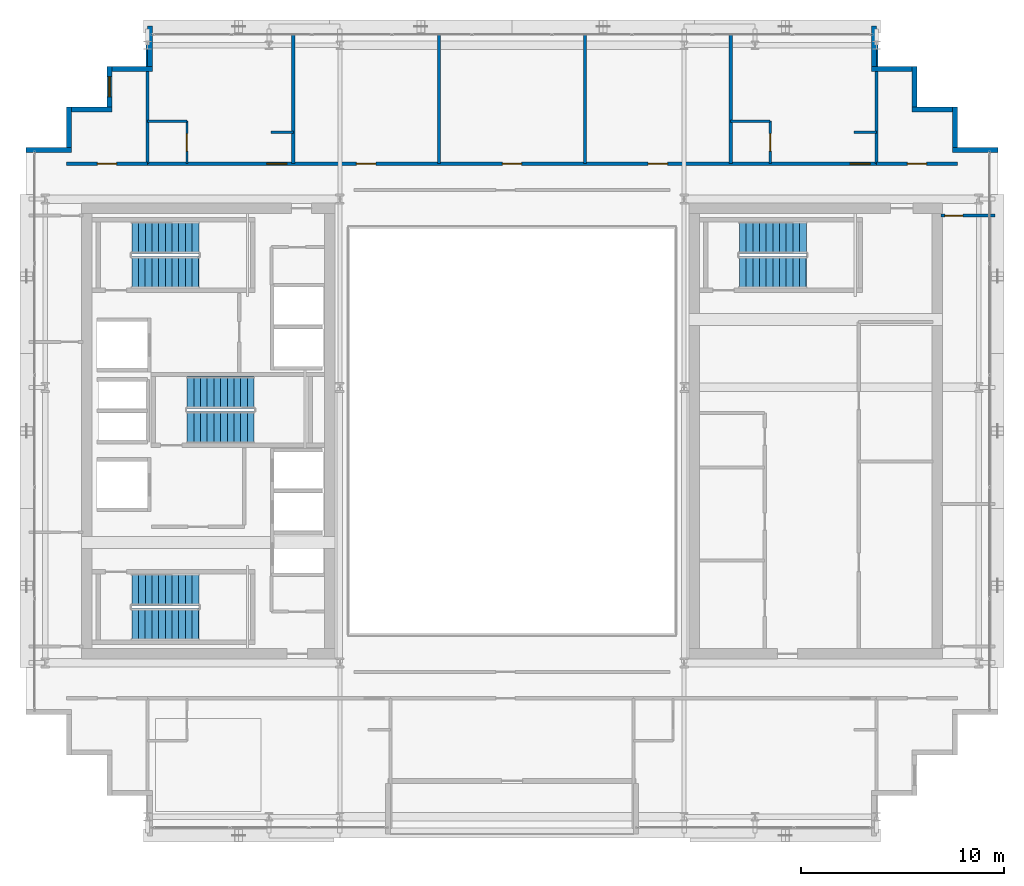
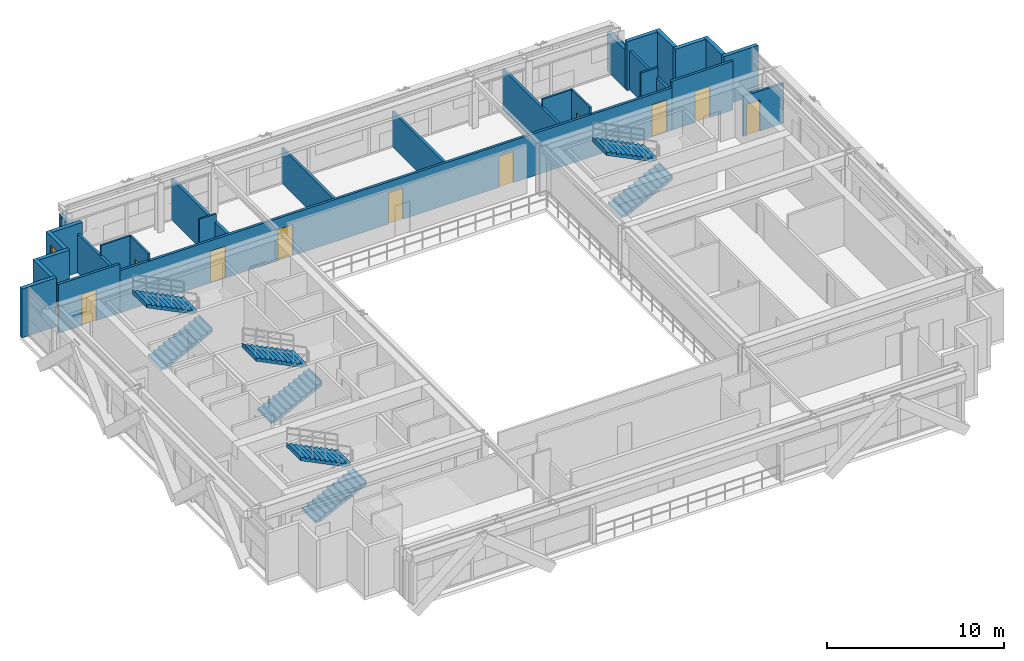
# One storey, part 26 of 30: 28 walls, 10 doors, 8 stair flights, 1 window, 11 openings, 4 elements without a shape of their own.
"""IFC4 building model written with IfcOpenShell, lengths in metres."""

from ifc_helpers import new_model, si_unit, direction, frame, frame_2d, origin, place, context, subcontext, project, spatial, polyline, rectangle, outline, extrude, source, transform, mapped, material, layer, layer_set, type_object, element, fill, aggregate, save


model = new_model("IFC4")

# Units and contexts
model_context = context("Model", 3, precision=1e-05, world=origin(), true_north=direction((0.0, 1.0)))
body_context = subcontext(model_context, "Body", "Model", "MODEL_VIEW")
ifc_project = project(units=[si_unit("LENGTHUNIT", "METRE"), si_unit("AREAUNIT", "SQUARE_METRE"), si_unit("VOLUMEUNIT", "CUBIC_METRE"), si_unit("PLANEANGLEUNIT", "RADIAN"), si_unit("MASSUNIT", "GRAM", prefix="KILO")], contexts=[model_context])

# Site, building, storey
site_placement = place(None, origin())
site = spatial("IfcSite", under=ifc_project, at=site_placement, CompositionType="ELEMENT")
building_placement = place(site_placement, origin())
building = spatial("IfcBuilding", under=site, at=building_placement, Name="Ocotamira Hotel", CompositionType="ELEMENT")
storey_placement = place(building_placement, frame((0.0, 0.0, 195.60009765625)))
storey = spatial("IfcBuildingStorey", under=building, at=storey_placement, Name="L49", CompositionType="ELEMENT", Elevation=195.60009765625)

# Walls
ifc_material_1 = material(Name="Precast concrete C45/55", Category="concrete")
ifc_layer_1 = layer(ifc_material_1, 0.25)
ifc_layer_set_1 = layer_set([ifc_layer_1], Name="Precast concrete C45/55")
wall_type_1 = type_object("IfcWallType", Name="WL-EXT-SER-250", PredefinedType="SOLIDWALL", material=ifc_layer_set_1)
wall_1_placement = place(storey_placement, frame((56.0, 39.875, 0.0), z_axis=(0.0, 0.0, 1.0), x_axis=(-1.0, 0.0, 0.0)))
element("IfcWall", 1, at=wall_1_placement, inside=storey, type_object=wall_type_1, Name="L49 Serrated Corner Wall 07", PredefinedType="SOLIDWALL", context=body_context, shape_type="SweptSolid", body=[
    extrude(rectangle(XDim=2.25, YDim=0.25, at=frame_2d((1.125, 0.0))), origin(), (0.0, 0.0, 1.0), 3.369873046875),
])
for number, where, z_axis, x_axis, name in (
    (2, (53.875, 40.0, 0.0), (0.0, 0.0, 1.0), (0.0, 1.0, 0.0), "L49 Serrated Corner Wall 08"),
    (3, (53.75, 41.875, 0.0), (0.0, 0.0, 1.0), (-1.0, 0.0, 0.0), "L49 Serrated Corner Wall 09"),
    (4, (51.875, 42.0, 0.0), (0.0, 0.0, 1.0), (0.0, 1.0, 0.0), "L49 Serrated Corner Wall 10"),
    (5, (51.75, 43.875, 0.0), (0.0, 0.0, 1.0), (-1.0, 0.0, 0.0), "L49 Serrated Corner Wall 11"),
):
    element("IfcWall", number, at=place(storey_placement, frame(where, z_axis=z_axis, x_axis=x_axis)), inside=storey, type_object=wall_type_1, Name=name, PredefinedType="SOLIDWALL", context=body_context, shape_type="SweptSolid", body=[
        extrude(rectangle(XDim=2.0, YDim=0.25, at=frame_2d((1.0, 0.0))), origin(), (0.0, 0.0, 1.0), 3.369873046875),
    ])
for number, where, z_axis, x_axis, name in (
    (6, (49.875, 44.0, 0.0), (0.0, 0.0, 1.0), (0.0, 1.0, 0.0), "L49 Serrated Corner Wall 12"),
    (7, (14.125, 46.0, 0.0), (0.0, 0.0, 1.0), (0.0, -1.0, 0.0), "L49 Serrated Corner Wall 13"),
):
    element("IfcWall", number, at=place(storey_placement, frame(where, z_axis=z_axis, x_axis=x_axis)), inside=storey, type_object=wall_type_1, Name=name, PredefinedType="SOLIDWALL", context=body_context, shape_type="SweptSolid", body=[
        extrude(rectangle(XDim=2.0, YDim=0.25, at=frame_2d((1.0, 0.0))), origin(), (0.0, 0.0, 1.0), 2.677001953125),
    ])
wall_2_placement = place(storey_placement, frame((14.25, 43.875, 0.0), z_axis=(0.0, 0.0, 1.0), x_axis=(-1.0, 0.0, 0.0)))
element("IfcWall", 8, at=wall_2_placement, inside=storey, type_object=wall_type_1, Name="L49 Serrated Corner Wall 14", PredefinedType="SOLIDWALL", context=body_context, shape_type="SweptSolid", body=[
    extrude(rectangle(XDim=2.0, YDim=0.25, at=frame_2d((1.0, 0.0))), origin(), (0.0, 0.0, 1.0), 3.369873046875),
])

# Wall, opening, window
wall_3_placement = place(storey_placement, frame((12.125, 44.0, 0.0), z_axis=(0.0, 0.0, 1.0), x_axis=(0.0, -1.0, 0.0)))
wall_3 = element("IfcWall", 9, at=wall_3_placement, inside=storey, type_object=wall_type_1, Name="L49 Serrated Corner Wall 15", PredefinedType="SOLIDWALL", context=body_context, shape_type="SweptSolid", body=[
    extrude(rectangle(XDim=2.0, YDim=0.25, at=frame_2d((1.0, 0.0))), origin(), (0.0, 0.0, 1.0), 3.369873046875),
])
opening_1_placement = place(wall_3_placement, frame((0.5, 0.0, 0.85009765625)))
opening_1 = element("IfcOpeningElement", 10, at=opening_1_placement, cuts=wall_3, Name="Opening WN-2", PredefinedType="OPENING", context=body_context, shape_type="SweptSolid", body=[
    extrude(rectangle(XDim=1.0, YDim=1.89990234375, at=frame_2d((0.5, 0.949951171875))), frame((0.0, 0.135009765625, 0.0), z_axis=(0.0, -1.0, 0.0), x_axis=(1.0, 0.0, 0.0)), (0.0, 0.0, 1.0), 0.27001953125),
])
ifc_material_2 = material(Name="Double-silver low-E solar glass", Category="glass")
window_type = type_object("IfcWindowType", Name="WIN-SER-1100", PartitioningType="SINGLE_PANEL", PredefinedType="WINDOW", material=ifc_material_2)
shared_shape_1 = source(origin(), body_context, "Body", "SweptSolid", [
    extrude(rectangle(XDim=1.0, YDim=1.89990234375, at=frame_2d((0.5, 0.949951171875))), frame((0.0, 0.030029296875, 0.0), z_axis=(0.0, -1.0, 0.0), x_axis=(1.0, 0.0, 0.0)), (0.0, 0.0, 1.0), 0.06005859375),
])
window_placement = place(opening_1_placement, origin())
window = element("IfcWindow", 11, at=window_placement, inside=storey, type_object=window_type, Name="L49 Serrated Corner Window 15", OverallHeight=1.89990234375, OverallWidth=1.0, PartitioningType="SINGLE_PANEL", PredefinedType="WINDOW", context=body_context, shape_type="MappedRepresentation", body=[
    mapped(shared_shape_1, transform((0.0, 0.0, 0.0), scale=1.0)),
])
fill(opening_1, window)

# Walls
for number, where, z_axis, x_axis, name in (
    (12, (12.25, 41.875, 0.0), (0.0, 0.0, 1.0), (-1.0, 0.0, 0.0), "L49 Serrated Corner Wall 16"),
    (13, (10.125, 42.0, 0.0), (0.0, 0.0, 1.0), (0.0, -1.0, 0.0), "L49 Serrated Corner Wall 17"),
):
    element("IfcWall", number, at=place(storey_placement, frame(where, z_axis=z_axis, x_axis=x_axis)), inside=storey, type_object=wall_type_1, Name=name, PredefinedType="SOLIDWALL", context=body_context, shape_type="SweptSolid", body=[
        extrude(rectangle(XDim=2.0, YDim=0.25, at=frame_2d((1.0, 0.0))), origin(), (0.0, 0.0, 1.0), 3.369873046875),
    ])
wall_4_placement = place(storey_placement, frame((10.25, 39.875, 0.0), z_axis=(0.0, 0.0, 1.0), x_axis=(-1.0, 0.0, 0.0)))
element("IfcWall", 14, at=wall_4_placement, inside=storey, type_object=wall_type_1, Name="L49 Serrated Corner Wall 18", PredefinedType="SOLIDWALL", context=body_context, shape_type="SweptSolid", body=[
    extrude(rectangle(XDim=2.25, YDim=0.25, at=frame_2d((1.125, 0.0))), origin(), (0.0, 0.0, 1.0), 3.369873046875),
])

# Wall, opening, door
ifc_material_3 = material(Name="Acoustic double-layer fire gypsum board partition", Category="gypsum")
ifc_layer_2 = layer(ifc_material_3, 0.159912109375)
ifc_layer_set_2 = layer_set([ifc_layer_2], Name="Acoustic double-layer fire gypsum board partition")
wall_type_2 = type_object("IfcWallType", Name="WL-FIRE-160", PredefinedType="PARTITIONING", material=ifc_layer_set_2)
wall_5_placement = place(storey_placement, frame((10.0, 39.199951171875, 0.0), z_axis=(0.0, 0.0, 1.0), x_axis=(1.0, 0.0, 0.0)))
wall_5 = element("IfcWall", 15, at=wall_5_placement, inside=storey, type_object=wall_type_2, Name="L49 Interior Wall PW-L49-Z3D-CNW-CW", PredefinedType="PARTITIONING", context=body_context, shape_type="SweptSolid", body=[
    extrude(rectangle(XDim=4.0, YDim=0.159912109375, at=frame_2d((2.0, 0.0))), origin(), (0.0, 0.0, 1.0), 3.369873046875),
])
opening_2_placement = place(wall_5_placement, frame((1.52001953125, 0.0, 0.0)))
opening_2 = element("IfcOpeningElement", 16, at=opening_2_placement, cuts=wall_5, Name="Opening D-SV4", PredefinedType="OPENING", context=body_context, shape_type="SweptSolid", body=[
    extrude(rectangle(XDim=0.9599609375, YDim=2.14990234375, at=frame_2d((0.47998046875, 1.074951171875))), frame((0.0, 0.08984375, 0.0), z_axis=(0.0, -1.0, 0.0), x_axis=(1.0, 0.0, 0.0)), (0.0, 0.0, 1.0), 0.179931640625),
])
ifc_material_4 = material(Name="Fire-rated accessible walnut salon door", Category="wood")
door_type_1 = type_object("IfcDoorType", Name="DR-SERV-960", OperationType="NOTDEFINED", PredefinedType="DOOR", material=ifc_material_4)
shared_shape_2 = source(origin(), body_context, "Body", "SweptSolid", [
    extrude(rectangle(XDim=0.9599609375, YDim=2.14990234375, at=frame_2d((0.47998046875, 1.074951171875))), frame((0.0, 0.02490234375, 0.0), z_axis=(0.0, -1.0, 0.0), x_axis=(1.0, 0.0, 0.0)), (0.0, 0.0, 1.0), 0.050048828125),
])
door_1_placement = place(opening_2_placement, origin())
door_1 = element("IfcDoor", 17, at=door_1_placement, inside=storey, type_object=door_type_1, Name="L49 Door ID-L49-Z3D-CNW-CD [ID-L49-Z3D-CNW-CD]", OperationType="SINGLE_SWING_LEFT", OverallHeight=2.14990234375, OverallWidth=0.9599609375, PredefinedType="DOOR", context=body_context, shape_type="MappedRepresentation", body=[
    mapped(shared_shape_2, transform((0.0, 0.0, 0.0), scale=1.0)),
])
fill(opening_2, door_1)

wall_6_placement = place(storey_placement, frame((50.0, 39.199951171875, 0.0), z_axis=(0.0, 0.0, 1.0), x_axis=(1.0, 0.0, 0.0)))
wall_6 = element("IfcWall", 18, at=wall_6_placement, inside=storey, type_object=wall_type_2, Name="L49 Interior Wall PW-L49-Z3D-CNE-CW", PredefinedType="PARTITIONING", context=body_context, shape_type="SweptSolid", body=[
    extrude(rectangle(XDim=4.0, YDim=0.159912109375, at=frame_2d((2.0, 0.0))), origin(), (0.0, 0.0, 1.0), 3.369873046875),
])
opening_3_placement = place(wall_6_placement, frame((1.52001953125, 0.0, 0.0)))
opening_3 = element("IfcOpeningElement", 19, at=opening_3_placement, cuts=wall_6, Name="Opening D-SV4", PredefinedType="OPENING", context=body_context, shape_type="SweptSolid", body=[
    extrude(rectangle(XDim=0.9599609375, YDim=2.14990234375, at=frame_2d((0.47998046875, 1.074951171875))), frame((0.0, 0.08984375, 0.0), z_axis=(0.0, -1.0, 0.0), x_axis=(1.0, 0.0, 0.0)), (0.0, 0.0, 1.0), 0.179931640625),
])
door_2_placement = place(opening_3_placement, origin())
door_2 = element("IfcDoor", 20, at=door_2_placement, inside=storey, type_object=door_type_1, Name="L49 Door ID-L49-Z3D-CNE-CD [ID-L49-Z3D-CNE-CD]", OperationType="SINGLE_SWING_LEFT", OverallHeight=2.14990234375, OverallWidth=0.9599609375, PredefinedType="DOOR", context=body_context, shape_type="MappedRepresentation", body=[
    mapped(shared_shape_2, transform((0.0, 0.0, 0.0), scale=1.0)),
])
fill(opening_3, door_2)

# Wall, openings, doors
wall_7_placement = place(storey_placement, frame((14.0, 39.199951171875, 0.0), z_axis=(0.0, 0.0, 1.0), x_axis=(1.0, 0.0, 0.0)))
wall_7 = element("IfcWall", 21, at=wall_7_placement, inside=storey, type_object=wall_type_2, Name="L49 Interior Wall PW-L49-Z3DN-CORRW", PredefinedType="PARTITIONING", context=body_context, shape_type="SweptSolid", body=[
    extrude(rectangle(XDim=36.0, YDim=0.159912109375, at=frame_2d((18.0, 0.0))), origin(), (0.0, 0.0, 1.0), 2.912841796875),
])
opening_4_placement = place(wall_7_placement, frame((5.89990234375, 0.0, 0.0)))
opening_4 = element("IfcOpeningElement", 22, at=opening_4_placement, cuts=wall_7, Name="Opening D-GR2", PredefinedType="OPENING", context=body_context, shape_type="SweptSolid", body=[
    extrude(rectangle(XDim=0.97998046875, YDim=2.199951171875, at=frame_2d((0.489990234375, 1.10009765625))), frame((0.0, 0.08984375, 0.0), z_axis=(0.0, -1.0, 0.0), x_axis=(1.0, 0.0, 0.0)), (0.0, 0.0, 1.0), 0.179931640625),
])
opening_5_placement = place(wall_7_placement, frame((10.320068359375, 0.0, 0.0)))
opening_5 = element("IfcOpeningElement", 23, at=opening_5_placement, cuts=wall_7, Name="Opening D-SV4", PredefinedType="OPENING", context=body_context, shape_type="SweptSolid", body=[
    extrude(rectangle(XDim=0.9599609375, YDim=2.14990234375, at=frame_2d((0.47998046875, 1.074951171875))), frame((0.0, 0.08984375, 0.0), z_axis=(0.0, -1.0, 0.0), x_axis=(1.0, 0.0, 0.0)), (0.0, 0.0, 1.0), 0.179931640625),
])
opening_6_placement = place(wall_7_placement, frame((17.52001953125, 0.0, 0.0)))
opening_6 = element("IfcOpeningElement", 24, at=opening_6_placement, cuts=wall_7, Name="Opening D-SV4", PredefinedType="OPENING", context=body_context, shape_type="SweptSolid", body=[
    extrude(rectangle(XDim=0.9599609375, YDim=2.14990234375, at=frame_2d((0.47998046875, 1.074951171875))), frame((0.0, 0.08984375, 0.0), z_axis=(0.0, -1.0, 0.0), x_axis=(1.0, 0.0, 0.0)), (0.0, 0.0, 1.0), 0.179931640625),
])
opening_7_placement = place(wall_7_placement, frame((24.719970703125, 0.0, 0.0)))
opening_7 = element("IfcOpeningElement", 25, at=opening_7_placement, cuts=wall_7, Name="Opening D-SV4", PredefinedType="OPENING", context=body_context, shape_type="SweptSolid", body=[
    extrude(rectangle(XDim=0.9599609375, YDim=2.14990234375, at=frame_2d((0.47998046875, 1.074951171875))), frame((0.0, 0.08984375, 0.0), z_axis=(0.0, -1.0, 0.0), x_axis=(1.0, 0.0, 0.0)), (0.0, 0.0, 1.0), 0.179931640625),
])
opening_8_placement = place(wall_7_placement, frame((34.699951171875, 0.0, 0.0)))
opening_8 = element("IfcOpeningElement", 26, at=opening_8_placement, cuts=wall_7, Name="Opening D-GR2", PredefinedType="OPENING", context=body_context, shape_type="SweptSolid", body=[
    extrude(rectangle(XDim=0.97998046875, YDim=2.199951171875, at=frame_2d((0.489990234375, 1.10009765625))), frame((0.0, 0.08984375, 0.0), z_axis=(0.0, -1.0, 0.0), x_axis=(1.0, 0.0, 0.0)), (0.0, 0.0, 1.0), 0.179931640625),
])
door_3_placement = place(opening_5_placement, origin())
door_3 = element("IfcDoor", 27, at=door_3_placement, inside=storey, type_object=door_type_1, Name="L49 Door ID-L49-Z3DN-AMD2 [ID-L49-Z3DN-AMD2]", OperationType="SINGLE_SWING_RIGHT", OverallHeight=2.14990234375, OverallWidth=0.9599609375, PredefinedType="DOOR", context=body_context, shape_type="MappedRepresentation", body=[
    mapped(shared_shape_2, transform((0.0, 0.0, 0.0), scale=1.0)),
])
fill(opening_5, door_3)
door_4_placement = place(opening_6_placement, origin())
door_4 = element("IfcDoor", 28, at=door_4_placement, inside=storey, type_object=door_type_1, Name="L49 Door ID-L49-Z3DN-AMD3 [ID-L49-Z3DN-AMD3]", OperationType="SINGLE_SWING_LEFT", OverallHeight=2.14990234375, OverallWidth=0.9599609375, PredefinedType="DOOR", context=body_context, shape_type="MappedRepresentation", body=[
    mapped(shared_shape_2, transform((0.0, 0.0, 0.0), scale=1.0)),
])
fill(opening_6, door_4)
door_5_placement = place(opening_7_placement, origin())
door_5 = element("IfcDoor", 29, at=door_5_placement, inside=storey, type_object=door_type_1, Name="L49 Door ID-L49-Z3DN-AMD4 [ID-L49-Z3DN-AMD4]", OperationType="SINGLE_SWING_RIGHT", OverallHeight=2.14990234375, OverallWidth=0.9599609375, PredefinedType="DOOR", context=body_context, shape_type="MappedRepresentation", body=[
    mapped(shared_shape_2, transform((0.0, 0.0, 0.0), scale=1.0)),
])
fill(opening_7, door_5)
ifc_material_5 = material(Name="Solid-core walnut grand-suite entrance fire door", Category="wood")
door_type_2 = type_object("IfcDoorType", Name="DR-GUEST-980", OperationType="NOTDEFINED", PredefinedType="DOOR", material=ifc_material_5)
shared_shape_3 = source(origin(), body_context, "Body", "SweptSolid", [
    extrude(rectangle(XDim=0.97998046875, YDim=2.199951171875, at=frame_2d((0.489990234375, 1.10009765625))), frame((0.0, 0.02490234375, 0.0), z_axis=(0.0, -1.0, 0.0), x_axis=(1.0, 0.0, 0.0)), (0.0, 0.0, 1.0), 0.050048828125),
])
door_6_placement = place(opening_4_placement, origin())
door_6 = element("IfcDoor", 30, at=door_6_placement, inside=storey, type_object=door_type_2, Name="L49 Door ID-L49-Z3DN-RMD1 [ID-L49-Z3DN-RMD1]", OperationType="SINGLE_SWING_LEFT", OverallHeight=2.199951171875, OverallWidth=0.97998046875, PredefinedType="DOOR", context=body_context, shape_type="MappedRepresentation", body=[
    mapped(shared_shape_3, transform((0.0, 0.0, 0.0), scale=1.0)),
])
fill(opening_4, door_6)
door_7_placement = place(opening_8_placement, origin())
door_7 = element("IfcDoor", 31, at=door_7_placement, inside=storey, type_object=door_type_2, Name="L49 Door ID-L49-Z3DN-RMD5 [ID-L49-Z3DN-RMD5]", OperationType="SINGLE_SWING_LEFT", OverallHeight=2.199951171875, OverallWidth=0.97998046875, PredefinedType="DOOR", context=body_context, shape_type="MappedRepresentation", body=[
    mapped(shared_shape_3, transform((0.0, 0.0, 0.0), scale=1.0)),
])
fill(opening_8, door_7)

# Wall, opening, door
ifc_material_6 = material(Name="Moisture-resistant en-suite tile and gypsum partition", Category="gypsum")
ifc_layer_3 = layer(ifc_material_6, 0.1201171875)
ifc_layer_set_3 = layer_set([ifc_layer_3], Name="Moisture-resistant en-suite tile and gypsum partition")
wall_type_3 = type_object("IfcWallType", Name="WL-PART-120", PredefinedType="PARTITIONING", material=ifc_layer_set_3)
wall_8_placement = place(storey_placement, frame((15.949951171875, 39.199951171875, 0.0), z_axis=(0.0, 0.0, 1.0), x_axis=(0.0, 1.0, 0.0)))
wall_8 = element("IfcWall", 32, at=wall_8_placement, inside=storey, type_object=wall_type_3, Name="L49 Interior Wall PW-L49-Z3DN-BAE1", PredefinedType="PARTITIONING", context=body_context, shape_type="SweptSolid", body=[
    extrude(rectangle(XDim=2.10009765625, YDim=0.1201171875, at=frame_2d((1.050048828125, 0.0))), origin(), (0.0, 0.0, 1.0), 3.369873046875),
])
opening_9_placement = place(wall_8_placement, frame((0.6201171875, 0.0, 0.0)))
opening_9 = element("IfcOpeningElement", 33, at=opening_9_placement, cuts=wall_8, Name="Opening D-BA1", PredefinedType="OPENING", context=body_context, shape_type="SweptSolid", body=[
    extrude(rectangle(XDim=0.860107421875, YDim=2.10009765625, at=frame_2d((0.43017578125, 1.050048828125))), frame((0.0, 0.070068359375, 0.0), z_axis=(0.0, -1.0, 0.0), x_axis=(1.0, 0.0, 0.0)), (0.0, 0.0, 1.0), 0.14013671875),
])
ifc_material_7 = material(Name="Moisture-sealed en-suite timber door", Category="wood")
door_type_3 = type_object("IfcDoorType", Name="DR-BATH-860", OperationType="NOTDEFINED", PredefinedType="DOOR", material=ifc_material_7)
shared_shape_4 = source(origin(), body_context, "Body", "SweptSolid", [
    extrude(rectangle(XDim=0.860107421875, YDim=2.10009765625, at=frame_2d((0.43017578125, 1.050048828125))), frame((0.0, 0.02490234375, 0.0), z_axis=(0.0, -1.0, 0.0), x_axis=(1.0, 0.0, 0.0)), (0.0, 0.0, 1.0), 0.050048828125),
])
door_8_placement = place(opening_9_placement, origin())
door_8 = element("IfcDoor", 34, at=door_8_placement, inside=storey, type_object=door_type_3, Name="L49 Door ID-L49-Z3DN-BAD1 [ID-L49-Z3DN-BAD1]", OperationType="SINGLE_SWING_RIGHT", OverallHeight=2.10009765625, OverallWidth=0.860107421875, PredefinedType="DOOR", context=body_context, shape_type="MappedRepresentation", body=[
    mapped(shared_shape_4, transform((0.0, 0.0, 0.0), scale=1.0)),
])
fill(opening_9, door_8)

# Walls
wall_9_placement = place(storey_placement, frame((14.0, 41.300048828125, 0.0), z_axis=(0.0, 0.0, 1.0), x_axis=(1.0, 0.0, 0.0)))
element("IfcWall", 35, at=wall_9_placement, inside=storey, type_object=wall_type_3, Name="L49 Interior Wall PW-L49-Z3DN-BAN1", PredefinedType="PARTITIONING", context=body_context, shape_type="SweptSolid", body=[
    extrude(rectangle(XDim=1.949951171875, YDim=0.1201171875, at=frame_2d((0.97509765625, 0.0))), origin(), (0.0, 0.0, 1.0), 3.369873046875),
])
wall_10_placement = place(storey_placement, frame((20.10009765625, 40.75, 0.0), z_axis=(0.0, 0.0, 1.0), x_axis=(1.0, 0.0, 0.0)))
element("IfcWall", 36, at=wall_10_placement, inside=storey, type_object=wall_type_3, Name="L49 Interior Wall PW-L49-Z3DN-DRN1", PredefinedType="PARTITIONING", context=body_context, shape_type="SweptSolid", body=[
    extrude(rectangle(XDim=1.099853515625, YDim=0.1201171875, at=frame_2d((0.5498046875, 0.0))), origin(), (0.0, 0.0, 1.0), 3.369873046875),
])

# Wall, opening, door
wall_11_placement = place(storey_placement, frame((44.75, 39.199951171875, 0.0), z_axis=(0.0, 0.0, 1.0), x_axis=(0.0, 1.0, 0.0)))
wall_11 = element("IfcWall", 37, at=wall_11_placement, inside=storey, type_object=wall_type_3, Name="L49 Interior Wall PW-L49-Z3DN-BAE5", PredefinedType="PARTITIONING", context=body_context, shape_type="SweptSolid", body=[
    extrude(rectangle(XDim=2.10009765625, YDim=0.1201171875, at=frame_2d((1.050048828125, 0.0))), origin(), (0.0, 0.0, 1.0), 3.369873046875),
])
opening_10_placement = place(wall_11_placement, frame((0.6201171875, 0.0, 0.0)))
opening_10 = element("IfcOpeningElement", 38, at=opening_10_placement, cuts=wall_11, Name="Opening D-BA1", PredefinedType="OPENING", context=body_context, shape_type="SweptSolid", body=[
    extrude(rectangle(XDim=0.860107421875, YDim=2.10009765625, at=frame_2d((0.43017578125, 1.050048828125))), frame((0.0, 0.070068359375, 0.0), z_axis=(0.0, -1.0, 0.0), x_axis=(1.0, 0.0, 0.0)), (0.0, 0.0, 1.0), 0.14013671875),
])
door_9_placement = place(opening_10_placement, origin())
door_9 = element("IfcDoor", 39, at=door_9_placement, inside=storey, type_object=door_type_3, Name="L49 Door ID-L49-Z3DN-BAD5 [ID-L49-Z3DN-BAD5]", OperationType="SINGLE_SWING_RIGHT", OverallHeight=2.10009765625, OverallWidth=0.860107421875, PredefinedType="DOOR", context=body_context, shape_type="MappedRepresentation", body=[
    mapped(shared_shape_4, transform((0.0, 0.0, 0.0), scale=1.0)),
])
fill(opening_10, door_9)

# Walls
wall_12_placement = place(storey_placement, frame((42.800048828125, 41.300048828125, 0.0), z_axis=(0.0, 0.0, 1.0), x_axis=(1.0, 0.0, 0.0)))
element("IfcWall", 40, at=wall_12_placement, inside=storey, type_object=wall_type_3, Name="L49 Interior Wall PW-L49-Z3DN-BAN5", PredefinedType="PARTITIONING", context=body_context, shape_type="SweptSolid", body=[
    extrude(rectangle(XDim=1.949951171875, YDim=0.1201171875, at=frame_2d((0.97509765625, 0.0))), origin(), (0.0, 0.0, 1.0), 3.369873046875),
])
wall_13_placement = place(storey_placement, frame((48.89990234375, 40.75, 0.0), z_axis=(0.0, 0.0, 1.0), x_axis=(1.0, 0.0, 0.0)))
element("IfcWall", 41, at=wall_13_placement, inside=storey, type_object=wall_type_3, Name="L49 Interior Wall PW-L49-Z3DN-DRN5", PredefinedType="PARTITIONING", context=body_context, shape_type="SweptSolid", body=[
    extrude(rectangle(XDim=1.10009765625, YDim=0.1201171875, at=frame_2d((0.550048828125, 0.0))), origin(), (0.0, 0.0, 1.0), 3.369873046875),
])

# Wall, opening, door
ifc_material_8 = material(Name="Acoustic hospitality gypsum board partition", Category="gypsum")
ifc_layer_4 = layer(ifc_material_8, 0.14990234375)
ifc_layer_set_4 = layer_set([ifc_layer_4], Name="Acoustic hospitality gypsum board partition")
wall_type_4 = type_object("IfcWallType", Name="WL-PART-150", PredefinedType="PARTITIONING", material=ifc_layer_set_4)
wall_14_placement = place(storey_placement, frame((53.179931640625, 36.639892578125, 0.0), z_axis=(0.0, 0.0, 1.0), x_axis=(1.0, 0.0, 0.0)))
wall_14 = element("IfcWall", 42, at=wall_14_placement, inside=storey, type_object=wall_type_4, Name="L49 Interior Wall PW-L49-Z3D-EF-WN", PredefinedType="PARTITIONING", context=body_context, shape_type="SweptSolid", body=[
    extrude(rectangle(XDim=2.66015625, YDim=0.14990234375, at=frame_2d((1.330078125, 0.0))), origin(), (0.0, 0.0, 1.0), 2.7529296875),
])
opening_11_placement = place(wall_14_placement, frame((0.199951171875, 0.0, 0.0)))
opening_11 = element("IfcOpeningElement", 43, at=opening_11_placement, cuts=wall_14, Name="Opening D-SV2", PredefinedType="OPENING", context=body_context, shape_type="SweptSolid", body=[
    extrude(rectangle(XDim=0.8798828125, YDim=2.14990234375, at=frame_2d((0.43994140625, 1.074951171875))), frame((0.0, 0.0849609375, 0.0), z_axis=(0.0, -1.0, 0.0), x_axis=(1.0, 0.0, 0.0)), (0.0, 0.0, 1.0), 0.169921875),
])
ifc_material_9 = material(Name="Fire-rated painted steel service door", Category="steel")
door_type_4 = type_object("IfcDoorType", Name="DR-SERV-880", OperationType="NOTDEFINED", PredefinedType="DOOR", material=ifc_material_9)
shared_shape_5 = source(origin(), body_context, "Body", "SweptSolid", [
    extrude(rectangle(XDim=0.8798828125, YDim=2.14990234375, at=frame_2d((0.43994140625, 1.074951171875))), frame((0.0, 0.02490234375, 0.0), z_axis=(0.0, -1.0, 0.0), x_axis=(1.0, 0.0, 0.0)), (0.0, 0.0, 1.0), 0.050048828125),
])
door_10_placement = place(opening_11_placement, origin())
door_10 = element("IfcDoor", 44, at=door_10_placement, inside=storey, type_object=door_type_4, Name="L49 Door ID-L49-Z3D-EF-DN [ID-L49-Z3D-EF-DN]", OperationType="SINGLE_SWING_LEFT", OverallHeight=2.14990234375, OverallWidth=0.8798828125, PredefinedType="DOOR", context=body_context, shape_type="MappedRepresentation", body=[
    mapped(shared_shape_5, transform((0.0, 0.0, 0.0), scale=1.0)),
])
fill(opening_11, door_10)

# Walls
ifc_material_10 = material(Name="Acoustic double-stud hospitality gypsum partition", Category="gypsum")
ifc_layer_5 = layer(ifc_material_10, 0.159912109375)
ifc_layer_set_5 = layer_set([ifc_layer_5], Name="Acoustic double-stud hospitality gypsum partition")
wall_type_5 = type_object("IfcWallType", Name="WL-PART-160", PredefinedType="PARTITIONING", material=ifc_layer_set_5)
for number, where, z_axis, x_axis, name in (
    (45, (14.0, 39.199951171875, 0.0), (0.0, 0.0, 1.0), (0.0, 1.0, 0.0), "L49 Interior Wall PW-L49-Z3DN-PW0"),
    (46, (50.0, 39.199951171875, 0.0), (0.0, 0.0, 1.0), (0.0, 1.0, 0.0), "L49 Interior Wall PW-L49-Z3DN-PWEND"),
):
    element("IfcWall", number, at=place(storey_placement, frame(where, z_axis=z_axis, x_axis=x_axis)), inside=storey, type_object=wall_type_5, Name=name, PredefinedType="PARTITIONING", context=body_context, shape_type="SweptSolid", body=[
        extrude(rectangle(XDim=6.43994140625, YDim=0.159912109375, at=frame_2d((3.219970703125, 0.0))), origin(), (0.0, 0.0, 1.0), 2.677001953125),
    ])
for number, where, z_axis, x_axis, name in (
    (47, (28.39990234375, 39.199951171875, 0.0), (0.0, 0.0, 1.0), (0.0, 1.0, 0.0), "L49 Interior Wall PW-L49-Z3DN-PW2"),
    (48, (35.60009765625, 39.199951171875, 0.0), (0.0, 0.0, 1.0), (0.0, 1.0, 0.0), "L49 Interior Wall PW-L49-Z3DN-PW3"),
):
    element("IfcWall", number, at=place(storey_placement, frame(where, z_axis=z_axis, x_axis=x_axis)), inside=storey, type_object=wall_type_5, Name=name, PredefinedType="PARTITIONING", context=body_context, shape_type="SweptSolid", body=[
        extrude(rectangle(XDim=6.43994140625, YDim=0.159912109375, at=frame_2d((3.219970703125, 0.0))), origin(), (0.0, 0.0, 1.0), 2.44287109375),
    ])
wall_15_placement = place(storey_placement, frame((42.800048828125, 39.199951171875, 0.0), z_axis=(0.0, 0.0, 1.0), x_axis=(0.0, 1.0, 0.0)))
element("IfcWall", 49, at=wall_15_placement, inside=storey, type_object=wall_type_5, Name="L49 Interior Wall PW-L49-Z3DN-PW4", PredefinedType="PARTITIONING", context=body_context, shape_type="SweptSolid", body=[
    extrude(rectangle(XDim=6.43994140625, YDim=0.159912109375, at=frame_2d((3.219970703125, 0.0))), origin(), (0.0, 0.0, 1.0), 2.8330078125),
])
ifc_material_11 = material(Name="Double-stud suite party gypsum partition", Category="gypsum")
ifc_layer_6 = layer(ifc_material_11, 0.175048828125)
ifc_layer_set_6 = layer_set([ifc_layer_6], Name="Double-stud suite party gypsum partition")
wall_type_6 = type_object("IfcWallType", Name="WL-PART-175", PredefinedType="PARTITIONING", material=ifc_layer_set_6)
wall_16_placement = place(storey_placement, frame((21.199951171875, 39.199951171875, 0.0), z_axis=(0.0, 0.0, 1.0), x_axis=(0.0, 1.0, 0.0)))
element("IfcWall", 50, at=wall_16_placement, inside=storey, type_object=wall_type_6, Name="L49 Interior Wall PW-L49-Z3DN-PW1", PredefinedType="PARTITIONING", context=body_context, shape_type="SweptSolid", body=[
    extrude(rectangle(XDim=6.43994140625, YDim=0.175048828125, at=frame_2d((3.219970703125, 0.0))), origin(), (0.0, 0.0, 1.0), 2.8330078125),
])

# Stair, stair flights
ifc_material_12 = material(Name="Concrete C40/50", Category="concrete")
stair_type = type_object("IfcStairType", Name="ST-CORE-1560", PredefinedType="HALF_TURN_STAIR", material=ifc_material_12)
stair_1_placement = place(storey_placement, origin())
stair_1 = element("IfcStair", 51, at=stair_1_placement, inside=storey, type_object=stair_type, Name="L49 Exit Stair ST-1", PredefinedType="HALF_TURN_STAIR")
stair_flight_type = type_object("IfcStairFlightType", Name="STF-CORE-1560", PredefinedType="STRAIGHT", material=ifc_material_12)
shared_shape_6 = source(origin(), body_context, "Body", "SweptSolid", [
    extrude(outline(polyline([(-0.00390625, 0.0), (-0.00390625, 0.16357421875), (0.330078125, 0.16357421875), (0.330078125, 0.327392578125), (0.659912109375, 0.327392578125), (0.659912109375, 0.490966796875), (0.989990234375, 0.490966796875), (0.989990234375, 0.654541015625), (1.320068359375, 0.654541015625), (1.320068359375, 0.818115234375), (1.64990234375, 0.818115234375), (1.64990234375, 0.98193359375), (1.97998046875, 0.98193359375), (1.97998046875, 1.1455078125), (2.31005859375, 1.1455078125), (2.31005859375, 1.30908203125), (2.639892578125, 1.30908203125), (2.639892578125, 1.47265625), (2.969970703125, 1.47265625), (2.969970703125, 1.636474609375), (3.300048828125, 1.636474609375), (3.300048828125, 1.800048828125), (3.303955078125, 1.800048828125), (3.303955078125, 1.468994140625), (0.33740234375, 0.0), (-0.00390625, 0.0)])), frame((0.0, 0.780029296875, 0.0), z_axis=(0.0, -1.0, 0.0), x_axis=(1.0, 0.0, 0.0)), (0.0, 0.0, 1.0), 1.56005859375),
])
stair_flight_1_placement = place(storey_placement, frame((13.22998046875, 16.449951171875, 0.0), z_axis=(0.0, 0.0, 1.0), x_axis=(1.0, 0.0, 0.0)))
stair_flight_1 = element("IfcStairFlight", 52, at=stair_flight_1_placement, type_object=stair_flight_type, Name="ST-1 flight 1", NumberOfRisers=11, NumberOfTreads=10, PredefinedType="STRAIGHT", RiserHeight=0.163636364, TreadLength=0.33, context=body_context, shape_type="MappedRepresentation", body=[
    mapped(shared_shape_6, transform((0.0, 0.0, 0.0), scale=1.0)),
])
stair_flight_2_placement = place(storey_placement, frame((16.530029296875, 18.169921875, 1.7998046875), z_axis=(0.0, 0.0, 1.0), x_axis=(-1.0, 0.0, 0.0)))
stair_flight_2 = element("IfcStairFlight", 53, at=stair_flight_2_placement, type_object=stair_flight_type, Name="ST-1 flight 2", NumberOfRisers=11, NumberOfTreads=10, PredefinedType="STRAIGHT", RiserHeight=0.163636364, TreadLength=0.33, context=body_context, shape_type="MappedRepresentation", body=[
    mapped(shared_shape_6, transform((0.0, 0.0, 0.0), scale=1.0)),
])
aggregate(stair_1, [stair_flight_1, stair_flight_2])

stair_2_placement = place(storey_placement, origin())
stair_2 = element("IfcStair", 54, at=stair_2_placement, inside=storey, type_object=stair_type, Name="L49 Exit Stair ST-2", PredefinedType="HALF_TURN_STAIR")
stair_flight_3_placement = place(storey_placement, frame((13.22998046875, 33.830078125, 0.0), z_axis=(0.0, 0.0, 1.0), x_axis=(1.0, 0.0, 0.0)))
stair_flight_3 = element("IfcStairFlight", 55, at=stair_flight_3_placement, type_object=stair_flight_type, Name="ST-2 flight 1", NumberOfRisers=11, NumberOfTreads=10, PredefinedType="STRAIGHT", RiserHeight=0.163636364, TreadLength=0.33, context=body_context, shape_type="MappedRepresentation", body=[
    mapped(shared_shape_6, transform((0.0, 0.0, 0.0), scale=1.0)),
])
stair_flight_4_placement = place(storey_placement, frame((16.530029296875, 35.550048828125, 1.7998046875), z_axis=(0.0, 0.0, 1.0), x_axis=(-1.0, 0.0, 0.0)))
stair_flight_4 = element("IfcStairFlight", 56, at=stair_flight_4_placement, type_object=stair_flight_type, Name="ST-2 flight 2", NumberOfRisers=11, NumberOfTreads=10, PredefinedType="STRAIGHT", RiserHeight=0.163636364, TreadLength=0.33, context=body_context, shape_type="MappedRepresentation", body=[
    mapped(shared_shape_6, transform((0.0, 0.0, 0.0), scale=1.0)),
])
aggregate(stair_2, [stair_flight_3, stair_flight_4])

stair_3_placement = place(storey_placement, origin())
stair_3 = element("IfcStair", 57, at=stair_3_placement, inside=storey, type_object=stair_type, Name="L49 Exit Stair ST-3", PredefinedType="HALF_TURN_STAIR")
stair_flight_5_placement = place(storey_placement, frame((15.9599609375, 26.179931640625, 0.0), z_axis=(0.0, 0.0, 1.0), x_axis=(1.0, 0.0, 0.0)))
stair_flight_5 = element("IfcStairFlight", 58, at=stair_flight_5_placement, type_object=stair_flight_type, Name="ST-3 flight 1", NumberOfRisers=11, NumberOfTreads=10, PredefinedType="STRAIGHT", RiserHeight=0.163636364, TreadLength=0.33, context=body_context, shape_type="MappedRepresentation", body=[
    mapped(shared_shape_6, transform((0.0, 0.0, 0.0), scale=1.0)),
])
stair_flight_6_placement = place(storey_placement, frame((19.260009765625, 27.89990234375, 1.7998046875), z_axis=(0.0, 0.0, 1.0), x_axis=(-1.0, 0.0, 0.0)))
stair_flight_6 = element("IfcStairFlight", 59, at=stair_flight_6_placement, type_object=stair_flight_type, Name="ST-3 flight 2", NumberOfRisers=11, NumberOfTreads=10, PredefinedType="STRAIGHT", RiserHeight=0.163636364, TreadLength=0.33, context=body_context, shape_type="MappedRepresentation", body=[
    mapped(shared_shape_6, transform((0.0, 0.0, 0.0), scale=1.0)),
])
aggregate(stair_3, [stair_flight_5, stair_flight_6])

stair_4_placement = place(storey_placement, origin())
stair_4 = element("IfcStair", 60, at=stair_4_placement, inside=storey, type_object=stair_type, Name="L49 Exit Stair ST-4", PredefinedType="HALF_TURN_STAIR")
stair_flight_7_placement = place(storey_placement, frame((43.22998046875, 33.830078125, 0.0), z_axis=(0.0, 0.0, 1.0), x_axis=(1.0, 0.0, 0.0)))
stair_flight_7 = element("IfcStairFlight", 61, at=stair_flight_7_placement, type_object=stair_flight_type, Name="ST-4 flight 1", NumberOfRisers=11, NumberOfTreads=10, PredefinedType="STRAIGHT", RiserHeight=0.163636364, TreadLength=0.33, context=body_context, shape_type="MappedRepresentation", body=[
    mapped(shared_shape_6, transform((0.0, 0.0, 0.0), scale=1.0)),
])
stair_flight_8_placement = place(storey_placement, frame((46.530029296875, 35.550048828125, 1.7998046875), z_axis=(0.0, 0.0, 1.0), x_axis=(-1.0, 0.0, 0.0)))
stair_flight_8 = element("IfcStairFlight", 62, at=stair_flight_8_placement, type_object=stair_flight_type, Name="ST-4 flight 2", NumberOfRisers=11, NumberOfTreads=10, PredefinedType="STRAIGHT", RiserHeight=0.163636364, TreadLength=0.33, context=body_context, shape_type="MappedRepresentation", body=[
    mapped(shared_shape_6, transform((0.0, 0.0, 0.0), scale=1.0)),
])
aggregate(stair_4, [stair_flight_7, stair_flight_8])

save(model, "model.ifc")
